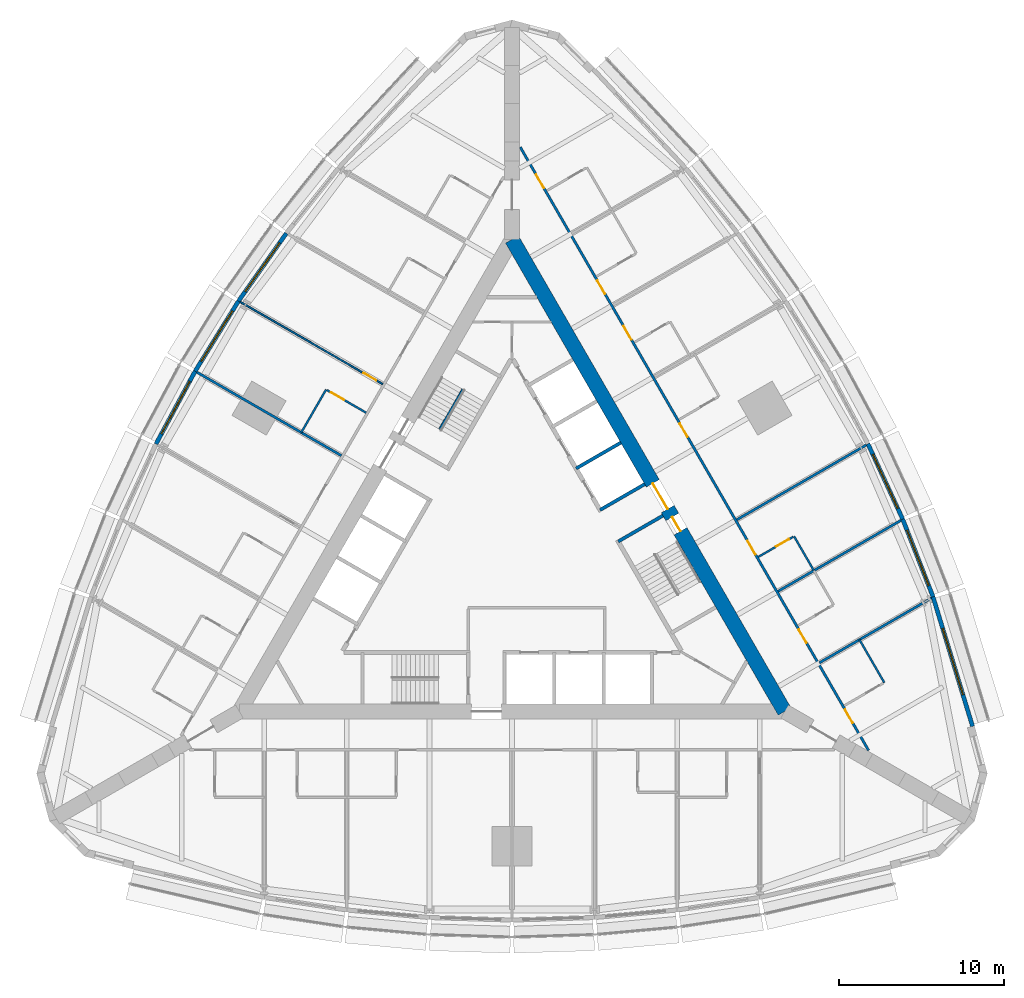
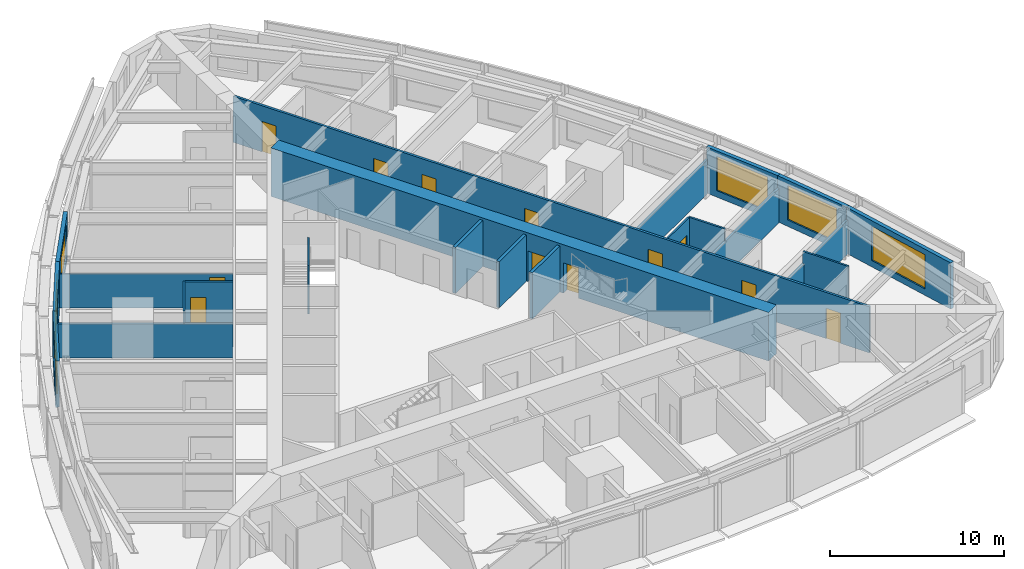
# One storey, part 11 of 14: 22 walls, 12 doors, 6 windows, 18 openings.
"""IFC4 building model written with IfcOpenShell, lengths in metres."""

import ifcopenshell
import ifcopenshell.guid

model = None  # the IFC model being written
_history = None  # IfcOwnerHistory: only IFC2X3 demands one
_inside = {}  # id of a spatial element -> (the spatial element, [elements in it])
_under = {}  # id of a project, library or spatial element -> (it, [spatial elements below it])
_declared = {}  # id of a project -> (the project, [libraries it declares])
_typed = {}  # id of a type object -> (the type object, [elements of that type])
_made_of = {}  # id of a material, layer set ... -> (it, [elements and type objects made of it])


def new_model(schema):
    """Start an empty IFC model of exactly this schema.

    Asked for "IFC4X3", IfcOpenShell would pick the latest addendum, in which some entities
    have other attributes; the version numbers below select the first issue.
    IFC2X3 requires an IfcOwnerHistory on every rooted entity: one is made here for all.
    """
    global model, _history
    if schema == "IFC4X3":
        model = ifcopenshell.file(schema_version=(4, 3, 0, 0))
    else:
        model = ifcopenshell.file(schema=schema)
    _inside.clear()
    _under.clear()
    _declared.clear()
    _typed.clear()
    _made_of.clear()
    _history = None
    if model.schema == "IFC2X3":
        org = make("IfcOrganization", Name="unknown")
        user = make(
            "IfcPersonAndOrganization",
            ThePerson=make("IfcPerson", FamilyName="unknown"),
            TheOrganization=org,
        )
        app = make(
            "IfcApplication",
            ApplicationDeveloper=org,
            Version="unknown",
            ApplicationFullName="unknown",
            ApplicationIdentifier="unknown",
        )
        _history = make(
            "IfcOwnerHistory",
            OwningUser=user,
            OwningApplication=app,
            ChangeAction="ADDED",
            CreationDate=0,
        )
    return model


def make(cls, **values):
    """One entity of the class cls with the attributes given. An attribute that is None is left unset."""
    return model.create_entity(
        cls, **{name: value for name, value in values.items() if value is not None}
    )


def rooted(cls, **values):
    """An entity with a GlobalId (a new one), such as an element, a storey or a relation."""
    return make(cls, GlobalId=ifcopenshell.guid.new(), OwnerHistory=_history, **values)


def si_unit(unit_type, name, prefix=None):
    """IfcSIUnit, for example si_unit("LENGTHUNIT", "METRE", prefix="MILLI")."""
    return make("IfcSIUnit", UnitType=unit_type, Prefix=prefix, Name=name)


def assignment(units):
    """IfcUnitAssignment: the units of a project."""
    return None if units is None else make("IfcUnitAssignment", Units=units)


def point(xyz):
    """IfcCartesianPoint."""
    return None if xyz is None else make("IfcCartesianPoint", Coordinates=xyz)


def direction(xyz):
    """IfcDirection."""
    return None if xyz is None else make("IfcDirection", DirectionRatios=xyz)


def frame(location, z_axis=None, x_axis=None):
    """IfcAxis2Placement3D, a coordinate frame: its origin and axes. An axis left out is left unset."""
    return make(
        "IfcAxis2Placement3D",
        Location=point(location),
        Axis=direction(z_axis),
        RefDirection=direction(x_axis),
    )


def frame_2d(location, x_axis=None):
    """IfcAxis2Placement2D, a coordinate frame in the plane: its origin and x axis."""
    return make(
        "IfcAxis2Placement2D", Location=point(location), RefDirection=direction(x_axis)
    )


def origin():
    """The frame at (0, 0, 0) with its axes left unset."""
    return frame((0.0, 0.0, 0.0))


def place(relative_to, where):
    """IfcLocalPlacement: puts the frame where relative to a parent placement (None: the world)."""
    return make(
        "IfcLocalPlacement", PlacementRelTo=relative_to, RelativePlacement=where
    )


def context(
    kind, dimensions, precision=None, world=None, true_north=None, identifier=None
):
    """IfcGeometricRepresentationContext, for example the 3D "Model" context."""
    return make(
        "IfcGeometricRepresentationContext",
        ContextIdentifier=identifier,
        ContextType=kind,
        CoordinateSpaceDimension=dimensions,
        Precision=precision,
        WorldCoordinateSystem=world,
        TrueNorth=true_north,
    )


def subcontext(parent, identifier, kind, view, scale=None):
    """IfcGeometricRepresentationSubContext, for example "Body" below "Model"."""
    return make(
        "IfcGeometricRepresentationSubContext",
        ContextIdentifier=identifier,
        ContextType=kind,
        ParentContext=parent,
        TargetScale=scale,
        TargetView=view,
    )


def project(units=None, contexts=None):
    """IfcProject with its units and contexts."""
    return rooted(
        "IfcProject",
        Name="project",
        RepresentationContexts=contexts,
        UnitsInContext=assignment(units),
    )


def spatial(cls, under=None, at=None, **own):
    """A site, building, storey or space (cls), placed at a placement, below another one or the project."""
    s = rooted(cls, ObjectPlacement=at, **own)
    if under is not None:
        _under.setdefault(under.id(), (under, []))[1].append(s)
    return s


def profile(cls, at=None, kind="AREA", **sizes):
    """A parametric profile (cls). Its sizes go by their IFC names, for example OverallWidth=200.0."""
    return make(cls, ProfileType=kind, Position=at, **sizes)


def rectangle(**sizes):
    """IfcRectangleProfileDef."""
    return profile("IfcRectangleProfileDef", **sizes)


def extrude(swept, where, along, depth):
    """IfcExtrudedAreaSolid: the profile swept, set in the frame where, extruded along a direction by depth."""
    return make(
        "IfcExtrudedAreaSolid",
        SweptArea=swept,
        Position=where,
        ExtrudedDirection=direction(along),
        Depth=depth,
    )


def shape(context_of_items, identifier, shape_type, items):
    """IfcShapeRepresentation: the items that make up one representation, for example the "Body"."""
    return make(
        "IfcShapeRepresentation",
        ContextOfItems=context_of_items,
        RepresentationIdentifier=identifier,
        RepresentationType=shape_type,
        Items=items,
    )


def material(Name=None, Category=None):
    """IfcMaterial."""
    return make("IfcMaterial", Name=Name, Category=Category)


def layer(
    of_material, thickness, ventilated=None, Name=None, Category=None, Priority=None
):
    """IfcMaterialLayer: one layer of a wall or slab, of a material (None: an air gap)."""
    return make(
        "IfcMaterialLayer",
        Material=of_material,
        LayerThickness=thickness,
        IsVentilated=ventilated,
        Name=Name,
        Category=Category,
        Priority=Priority,
    )


def layer_set(layers, Name=None):
    """IfcMaterialLayerSet."""
    return make("IfcMaterialLayerSet", MaterialLayers=layers, LayerSetName=Name)


def made_of(thing, what):
    """Note that an element or type object is made of a material, layer set ...; save() writes the relation."""
    if what is not None:
        _made_of.setdefault(what.id(), (what, []))[1].append(thing)
    return thing


def type_object(cls, material=None, **own):
    """A type object (cls), such as IfcWallType, which elements share."""
    return made_of(rooted(cls, **own), material)


def element(
    cls,
    number,
    at=None,
    inside=None,
    cuts=None,
    type_object=None,
    material=None,
    context=None,
    identifier="Body",
    shape_type=None,
    held_by="IfcProductDefinitionShape",
    body=None,
    shapes=None,
    **own,
):
    """One element of the class cls, such as IfcWall. Its Tag is "e" and its number.

    at: its placement. inside: the storey or other place that contains it. cuts: it is an
    opening in that element (IfcRelVoidsElement). A single representation is given by context,
    identifier, shape_type and body (its items); several are given by shapes. held_by: the class
    of the entity that holds the representations. save() writes the other relations.
    """
    e = rooted(cls, Tag="e%d" % number, ObjectPlacement=at, **own)
    if body is not None:
        shapes = [shape(context, identifier, shape_type, body)]
    if shapes is not None:
        e.Representation = make(held_by, Representations=shapes)
    if inside is not None:
        _inside.setdefault(inside.id(), (inside, []))[1].append(e)
    if cuts is not None:
        rooted(
            "IfcRelVoidsElement", RelatingBuildingElement=cuts, RelatedOpeningElement=e
        )
    if type_object is not None:
        _typed.setdefault(type_object.id(), (type_object, []))[1].append(e)
    return made_of(e, material)


def fill(opening, filler):
    """IfcRelFillsElement: the door or window that sits in an opening."""
    return rooted(
        "IfcRelFillsElement",
        RelatingOpeningElement=opening,
        RelatedBuildingElement=filler,
    )


def aggregate(whole, parts):
    """IfcRelAggregates: a whole, such as a stair, and the parts it consists of."""
    return rooted("IfcRelAggregates", RelatingObject=whole, RelatedObjects=parts)


def save(model, path):
    """Write the relations noted so far, then the file.

    IfcRelAggregates (storeys below a building ...), IfcRelContainedInSpatialStructure (elements
    in a storey), IfcRelDefinesByType, IfcRelAssociatesMaterial and IfcRelDeclares: one each for
    every whole, place, type object, material and project.
    """
    for whole, parts in _under.values():
        aggregate(whole, parts)
    for where, things in _inside.values():
        rooted(
            "IfcRelContainedInSpatialStructure",
            RelatedElements=things,
            RelatingStructure=where,
        )
    for kind, things in _typed.values():
        rooted("IfcRelDefinesByType", RelatedObjects=things, RelatingType=kind)
    for what, things in _made_of.values():
        rooted("IfcRelAssociatesMaterial", RelatedObjects=things, RelatingMaterial=what)
    for by, libraries in _declared.values():
        rooted("IfcRelDeclares", RelatingContext=by, RelatedDefinitions=libraries)
    model.write(path)


model = new_model("IFC4")

# Units and contexts
model_context = context("Model", 3, precision=1e-05, world=origin(), true_north=direction((0.0, 1.0)))
body_context = subcontext(model_context, "Body", "Model", "MODEL_VIEW")
ifc_project = project(units=[si_unit("LENGTHUNIT", "METRE"), si_unit("AREAUNIT", "SQUARE_METRE"), si_unit("VOLUMEUNIT", "CUBIC_METRE"), si_unit("PLANEANGLEUNIT", "RADIAN"), si_unit("MASSUNIT", "GRAM", prefix="KILO")], contexts=[model_context])

# Site, building, storey
site_placement = place(None, origin())
site = spatial("IfcSite", under=ifc_project, at=site_placement, CompositionType="ELEMENT")
building_placement = place(site_placement, origin())
building = spatial("IfcBuilding", under=site, at=building_placement, Name="Trikona Tower", CompositionType="ELEMENT")
storey_placement = place(building_placement, frame((0.0, 0.0, 38.699951171875)))
storey = spatial("IfcBuildingStorey", under=building, at=storey_placement, Name="L08", CompositionType="ELEMENT", Elevation=38.699951171875)

# Walls
ifc_material_1 = material(Name="Metal stud and cement board", Category="gypsum")
ifc_layer_1 = layer(ifc_material_1, 0.1201171875)
ifc_layer_set_1 = layer_set([ifc_layer_1], Name="Bathroom wall 120")
wall_type_1 = type_object("IfcWallType", Name="Bathroom wall 120", PredefinedType="PLUMBINGWALL", material=ifc_layer_set_1)
wall_1_placement = place(storey_placement, frame((22.53271484375, -7.775390625, 0.0), z_axis=(0.0, 0.0, 1.0), x_axis=(-0.499990139034, 0.866031096941, 0.0)))
element("IfcWall", 1, at=wall_1_placement, inside=storey, type_object=wall_type_1, Name="Bathroom wall 0806", PredefinedType="PLUMBINGWALL", context=body_context, shape_type="SweptSolid", body=[
    extrude(rectangle(XDim=3.0, YDim=0.1201171875, at=frame_2d((1.5, 0.0))), origin(), (0.0, 0.0, 1.0), 3.235107421875),
])
wall_2_placement = place(storey_placement, frame((18.27294921875, -0.9970703125, 0.0), z_axis=(0.0, 0.0, 1.0), x_axis=(-0.500001309137, 0.866024647952, 0.0)))
element("IfcWall", 2, at=wall_2_placement, inside=storey, type_object=wall_type_1, Name="Bathroom wall 0808", PredefinedType="PLUMBINGWALL", context=body_context, shape_type="SweptSolid", body=[
    extrude(rectangle(XDim=2.39990234375, YDim=0.1201171875, at=frame_2d((1.199951171875, 0.0))), origin(), (0.0, 0.0, 1.0), 3.235107421875),
])

# Wall, opening, door
wall_3_placement = place(storey_placement, frame((14.907958984375, -0.168701171875, 0.0), z_axis=(0.0, 0.0, 1.0), x_axis=(0.866023955769, 0.500002508028, 0.0)))
wall_3 = element("IfcWall", 3, at=wall_3_placement, inside=storey, type_object=wall_type_1, Name="Bathroom wall 0808", PredefinedType="PLUMBINGWALL", context=body_context, shape_type="SweptSolid", body=[
    extrude(rectangle(XDim=2.43994140625, YDim=0.1201171875, at=frame_2d((1.219970703125, 0.0))), origin(), (0.0, 0.0, 1.0), 3.235107421875),
])
opening_1_placement = place(wall_3_placement, frame((1.25, 0.0, 0.0)))
opening_1 = element("IfcOpeningElement", 4, at=opening_1_placement, cuts=wall_3, Name="Opening D2", PredefinedType="OPENING", context=body_context, shape_type="SweptSolid", body=[
    extrude(rectangle(XDim=0.89990234375, YDim=2.1298828125, at=frame_2d((0.449951171875, 1.06494140625))), frame((0.0, 0.070068359375, 0.0), z_axis=(0.0, -1.0, 0.0), x_axis=(1.0, 0.0, 0.0)), (0.0, 0.0, 1.0), 0.14013671875),
])
ifc_material_2 = material(Name="Steel door frame with solid-core timber leaf", Category="steel")
door_type_1 = type_object("IfcDoorType", Name="Bathroom door 900x2130", OperationType="SLIDING_TO_LEFT", PredefinedType="DOOR", material=ifc_material_2)
door_1_placement = place(opening_1_placement, origin())
door_1 = element("IfcDoor", 5, at=door_1_placement, inside=storey, type_object=door_type_1, Name="Bathroom door 0808", OperationType="SLIDING_TO_LEFT", OverallHeight=2.1298828125, OverallWidth=0.89990234375, PredefinedType="DOOR", context=body_context, shape_type="SweptSolid", body=[
    extrude(rectangle(XDim=0.89990234375, YDim=2.1298828125, at=frame_2d((0.449951171875, 1.06494140625))), frame((0.0, 0.02490234375, 0.0), z_axis=(0.0, -1.0, 0.0), x_axis=(1.0, 0.0, 0.0)), (0.0, 0.0, 1.0), 0.050048828125),
])
fill(opening_1, door_1)

# Wall
wall_4_placement = place(storey_placement, frame((-11.25341796875, 9.961181640625, 0.0), z_axis=(0.0, 0.0, 1.0), x_axis=(-0.499990139034, -0.866031096941, 0.0)))
element("IfcWall", 6, at=wall_4_placement, inside=storey, type_object=wall_type_1, Name="Bathroom wall 0815.1", PredefinedType="PLUMBINGWALL", context=body_context, shape_type="SweptSolid", body=[
    extrude(rectangle(XDim=3.0, YDim=0.1201171875, at=frame_2d((1.5, 0.0))), origin(), (0.0, 0.0, 1.0), 3.235107421875),
])

# Wall, opening, door
wall_5_placement = place(storey_placement, frame((-8.82861328125, 8.561279296875, 0.0), z_axis=(0.0, 0.0, 1.0), x_axis=(-0.866035715982, 0.499982138324, 0.0)))
wall_5 = element("IfcWall", 7, at=wall_5_placement, inside=storey, type_object=wall_type_1, Name="Bathroom wall 0815.1", PredefinedType="PLUMBINGWALL", context=body_context, shape_type="SweptSolid", body=[
    extrude(rectangle(XDim=2.73974609375, YDim=0.1201171875, at=frame_2d((1.369873046875, 0.0))), origin(), (0.0, 0.0, 1.0), 3.235107421875),
])
opening_2_placement = place(wall_5_placement, frame((1.550048828125, 0.0, 0.0)))
opening_2 = element("IfcOpeningElement", 8, at=opening_2_placement, cuts=wall_5, Name="Opening D2", PredefinedType="OPENING", context=body_context, shape_type="SweptSolid", body=[
    extrude(rectangle(XDim=0.89990234375, YDim=2.1298828125, at=frame_2d((0.449951171875, 1.06494140625))), frame((0.0, 0.070068359375, 0.0), z_axis=(0.0, -1.0, 0.0), x_axis=(1.0, 0.0, 0.0)), (0.0, 0.0, 1.0), 0.14013671875),
])
door_2_placement = place(opening_2_placement, origin())
door_2 = element("IfcDoor", 9, at=door_2_placement, inside=storey, type_object=door_type_1, Name="Bathroom door 0815.1", OperationType="SLIDING_TO_LEFT", OverallHeight=2.1298828125, OverallWidth=0.89990234375, PredefinedType="DOOR", context=body_context, shape_type="SweptSolid", body=[
    extrude(rectangle(XDim=0.89990234375, YDim=2.1298828125, at=frame_2d((0.449951171875, 1.06494140625))), frame((0.0, 0.02490234375, 0.0), z_axis=(0.0, -1.0, 0.0), x_axis=(1.0, 0.0, 0.0)), (0.0, 0.0, 1.0), 0.050048828125),
])
fill(opening_2, door_2)

# Wall, openings, doors
ifc_material_3 = material(Name="Concrete f'c 10000 psi", Category="concrete")
ifc_layer_2 = layer(ifc_material_3, 0.89990234375)
ifc_layer_set_2 = layer_set([ifc_layer_2], Name="Core wall 900")
wall_type_2 = type_object("IfcWallType", Name="Core wall 900", PredefinedType="SHEAR", material=ifc_layer_set_2)
wall_6_placement = place(storey_placement, frame((16.5, -9.5263671875, 0.0), z_axis=(0.0, 0.0, 1.0), x_axis=(-0.499999749417, 0.866025548458, 0.0)))
wall_6 = element("IfcWall", 10, at=wall_6_placement, inside=storey, type_object=wall_type_2, Name="Core wall B", PredefinedType="SHEAR", context=body_context, shape_type="SweptSolid", body=[
    extrude(rectangle(XDim=33.0, YDim=0.89990234375, at=frame_2d((16.5, 0.0))), origin(), (0.0, 0.0, 1.0), 3.400146484375),
])
opening_3_placement = place(wall_6_placement, frame((14.14990234375, 0.0, 0.0)))
opening_3 = element("IfcOpeningElement", 11, at=opening_3_placement, cuts=wall_6, Name="Opening D6", PredefinedType="OPENING", context=body_context, shape_type="SweptSolid", body=[
    extrude(rectangle(XDim=1.800048828125, YDim=2.1298828125, at=frame_2d((0.89990234375, 1.06494140625))), frame((0.0, 0.4599609375, 0.0), z_axis=(0.0, -1.0, 0.0), x_axis=(1.0, 0.0, 0.0)), (0.0, 0.0, 1.0), 0.919921875),
])
opening_4_placement = place(wall_6_placement, frame((12.60009765625, 0.0, 0.0)))
opening_4 = element("IfcOpeningElement", 12, at=opening_4_placement, cuts=wall_6, Name="Opening D5", PredefinedType="OPENING", context=body_context, shape_type="SweptSolid", body=[
    extrude(rectangle(XDim=1.0, YDim=2.1298828125, at=frame_2d((0.5, 1.06494140625))), frame((0.0, 0.4599609375, 0.0), z_axis=(0.0, -1.0, 0.0), x_axis=(1.0, 0.0, 0.0)), (0.0, 0.0, 1.0), 0.919921875),
])
ifc_material_4 = material(Name="Hollow metal door and frame", Category="steel")
door_type_2 = type_object("IfcDoorType", Name="Lobby door pair 1800x2130", OperationType="DOUBLE_DOOR_SINGLE_SWING", PredefinedType="DOOR", material=ifc_material_4)
door_3_placement = place(opening_3_placement, origin())
door_3 = element("IfcDoor", 13, at=door_3_placement, inside=storey, type_object=door_type_2, Name="Lift lobby door B", OperationType="DOUBLE_DOOR_SINGLE_SWING", OverallHeight=2.1298828125, OverallWidth=1.800048828125, PredefinedType="DOOR", context=body_context, shape_type="SweptSolid", body=[
    extrude(rectangle(XDim=1.800048828125, YDim=2.1298828125, at=frame_2d((0.89990234375, 1.06494140625))), frame((0.0, 0.02490234375, 0.0), z_axis=(0.0, -1.0, 0.0), x_axis=(1.0, 0.0, 0.0)), (0.0, 0.0, 1.0), 0.050048828125),
])
fill(opening_3, door_3)
ifc_material_5 = material(Name="Hollow metal door and frame", Category="steel")
door_type_3 = type_object("IfcDoorType", Name="Stair door 1000x2130", OperationType="SINGLE_SWING_LEFT", PredefinedType="DOOR", material=ifc_material_5)
door_4_placement = place(opening_4_placement, origin())
door_4 = element("IfcDoor", 14, at=door_4_placement, inside=storey, type_object=door_type_3, Name="Stair B door", OperationType="SINGLE_SWING_RIGHT", OverallHeight=2.1298828125, OverallWidth=1.0, PredefinedType="DOOR", context=body_context, shape_type="SweptSolid", body=[
    extrude(rectangle(XDim=1.0, YDim=2.1298828125, at=frame_2d((0.5, 1.06494140625))), frame((0.0, 0.02490234375, 0.0), z_axis=(0.0, -1.0, 0.0), x_axis=(1.0, 0.0, 0.0)), (0.0, 0.0, 1.0), 0.050048828125),
])
fill(opening_4, door_4)

ifc_material_6 = material(Name="Metal stud and gypsum board, 1-hour", Category="gypsum")
ifc_layer_3 = layer(ifc_material_6, 0.14990234375)
ifc_layer_set_3 = layer_set([ifc_layer_3], Name="Corridor wall 150")
wall_type_3 = type_object("IfcWallType", Name="Corridor wall 150", PredefinedType="PARTITIONING", material=ifc_layer_set_3)
wall_7_placement = place(storey_placement, frame((21.5859375, -11.88525390625, 0.0), z_axis=(0.0, 0.0, 1.0), x_axis=(-0.500001915564, 0.86602429783, 0.0)))
wall_7 = element("IfcWall", 15, at=wall_7_placement, inside=storey, type_object=wall_type_3, Name="Corridor wall L08-2", PredefinedType="PARTITIONING", context=body_context, shape_type="SweptSolid", body=[
    extrude(rectangle(XDim=42.171630859375, YDim=0.14990234375, at=frame_2d((21.0859375, 0.0))), origin(), (0.0, 0.0, 1.0), 3.235107421875),
])
opening_5_placement = place(wall_7_placement, frame((1.910888671875, 0.0, 0.0)))
opening_5 = element("IfcOpeningElement", 16, at=opening_5_placement, cuts=wall_7, Name="Opening D1", PredefinedType="OPENING", context=body_context, shape_type="SweptSolid", body=[
    extrude(rectangle(XDim=0.949951171875, YDim=2.1298828125, at=frame_2d((0.47509765625, 1.06494140625))), frame((0.0, 0.0849609375, 0.0), z_axis=(0.0, -1.0, 0.0), x_axis=(1.0, 0.0, 0.0)), (0.0, 0.0, 1.0), 0.169921875),
])
opening_6_placement = place(wall_7_placement, frame((7.510986328125, 0.0, 0.0)))
opening_6 = element("IfcOpeningElement", 17, at=opening_6_placement, cuts=wall_7, Name="Opening D1", PredefinedType="OPENING", context=body_context, shape_type="SweptSolid", body=[
    extrude(rectangle(XDim=0.949951171875, YDim=2.1298828125, at=frame_2d((0.47509765625, 1.06494140625))), frame((0.0, 0.0849609375, 0.0), z_axis=(0.0, -1.0, 0.0), x_axis=(1.0, 0.0, 0.0)), (0.0, 0.0, 1.0), 0.169921875),
])
opening_7_placement = place(wall_7_placement, frame((13.7109375, 0.0, 0.0)))
opening_7 = element("IfcOpeningElement", 18, at=opening_7_placement, cuts=wall_7, Name="Opening D1", PredefinedType="OPENING", context=body_context, shape_type="SweptSolid", body=[
    extrude(rectangle(XDim=0.949951171875, YDim=2.1298828125, at=frame_2d((0.47509765625, 1.06494140625))), frame((0.0, 0.0849609375, 0.0), z_axis=(0.0, -1.0, 0.0), x_axis=(1.0, 0.0, 0.0)), (0.0, 0.0, 1.0), 0.169921875),
])
opening_8_placement = place(wall_7_placement, frame((21.910888671875, 0.0, 0.0)))
opening_8 = element("IfcOpeningElement", 19, at=opening_8_placement, cuts=wall_7, Name="Opening D1", PredefinedType="OPENING", context=body_context, shape_type="SweptSolid", body=[
    extrude(rectangle(XDim=0.949951171875, YDim=2.1298828125, at=frame_2d((0.47509765625, 1.06494140625))), frame((0.0, 0.0849609375, 0.0), z_axis=(0.0, -1.0, 0.0), x_axis=(1.0, 0.0, 0.0)), (0.0, 0.0, 1.0), 0.169921875),
])
opening_9_placement = place(wall_7_placement, frame((28.7109375, 0.0, 0.0)))
opening_9 = element("IfcOpeningElement", 20, at=opening_9_placement, cuts=wall_7, Name="Opening D1", PredefinedType="OPENING", context=body_context, shape_type="SweptSolid", body=[
    extrude(rectangle(XDim=0.949951171875, YDim=2.1298828125, at=frame_2d((0.47509765625, 1.06494140625))), frame((0.0, 0.0849609375, 0.0), z_axis=(0.0, -1.0, 0.0), x_axis=(1.0, 0.0, 0.0)), (0.0, 0.0, 1.0), 0.169921875),
])
opening_10_placement = place(wall_7_placement, frame((31.910888671875, 0.0, 0.0)))
opening_10 = element("IfcOpeningElement", 21, at=opening_10_placement, cuts=wall_7, Name="Opening D1", PredefinedType="OPENING", context=body_context, shape_type="SweptSolid", body=[
    extrude(rectangle(XDim=0.949951171875, YDim=2.1298828125, at=frame_2d((0.47509765625, 1.06494140625))), frame((0.0, 0.0849609375, 0.0), z_axis=(0.0, -1.0, 0.0), x_axis=(1.0, 0.0, 0.0)), (0.0, 0.0, 1.0), 0.169921875),
])
opening_11_placement = place(wall_7_placement, frame((39.310791015625, 0.0, 0.0)))
opening_11 = element("IfcOpeningElement", 22, at=opening_11_placement, cuts=wall_7, Name="Opening D1", PredefinedType="OPENING", context=body_context, shape_type="SweptSolid", body=[
    extrude(rectangle(XDim=0.949951171875, YDim=2.1298828125, at=frame_2d((0.47509765625, 1.06494140625))), frame((0.0, 0.0849609375, 0.0), z_axis=(0.0, -1.0, 0.0), x_axis=(1.0, 0.0, 0.0)), (0.0, 0.0, 1.0), 0.169921875),
])
ifc_material_7 = material(Name="Steel door frame with solid-core timber leaf", Category="steel")
door_type_4 = type_object("IfcDoorType", Name="Guest room door 950x2130", OperationType="SINGLE_SWING_LEFT", PredefinedType="DOOR", material=ifc_material_7)
door_5_placement = place(opening_5_placement, origin())
door_5 = element("IfcDoor", 23, at=door_5_placement, inside=storey, type_object=door_type_4, Name="Room door 0806", OperationType="SINGLE_SWING_LEFT", OverallHeight=2.1298828125, OverallWidth=0.949951171875, PredefinedType="DOOR", context=body_context, shape_type="SweptSolid", body=[
    extrude(rectangle(XDim=0.949951171875, YDim=2.1298828125, at=frame_2d((0.47509765625, 1.06494140625))), frame((0.0, 0.02490234375, 0.0), z_axis=(0.0, -1.0, 0.0), x_axis=(1.0, 0.0, 0.0)), (0.0, 0.0, 1.0), 0.050048828125),
])
fill(opening_5, door_5)
door_6_placement = place(opening_6_placement, origin())
door_6 = element("IfcDoor", 24, at=door_6_placement, inside=storey, type_object=door_type_4, Name="Room door 0807", OperationType="SINGLE_SWING_RIGHT", OverallHeight=2.1298828125, OverallWidth=0.949951171875, PredefinedType="DOOR", context=body_context, shape_type="SweptSolid", body=[
    extrude(rectangle(XDim=0.949951171875, YDim=2.1298828125, at=frame_2d((0.47509765625, 1.06494140625))), frame((0.0, 0.02490234375, 0.0), z_axis=(0.0, -1.0, 0.0), x_axis=(1.0, 0.0, 0.0)), (0.0, 0.0, 1.0), 0.050048828125),
])
fill(opening_6, door_6)
door_7_placement = place(opening_7_placement, origin())
door_7 = element("IfcDoor", 25, at=door_7_placement, inside=storey, type_object=door_type_4, Name="Room door 0808", OperationType="SINGLE_SWING_LEFT", OverallHeight=2.1298828125, OverallWidth=0.949951171875, PredefinedType="DOOR", context=body_context, shape_type="SweptSolid", body=[
    extrude(rectangle(XDim=0.949951171875, YDim=2.1298828125, at=frame_2d((0.47509765625, 1.06494140625))), frame((0.0, 0.02490234375, 0.0), z_axis=(0.0, -1.0, 0.0), x_axis=(1.0, 0.0, 0.0)), (0.0, 0.0, 1.0), 0.050048828125),
])
fill(opening_7, door_7)
door_8_placement = place(opening_8_placement, origin())
door_8 = element("IfcDoor", 26, at=door_8_placement, inside=storey, type_object=door_type_4, Name="Room door 0809", OperationType="SINGLE_SWING_RIGHT", OverallHeight=2.1298828125, OverallWidth=0.949951171875, PredefinedType="DOOR", context=body_context, shape_type="SweptSolid", body=[
    extrude(rectangle(XDim=0.949951171875, YDim=2.1298828125, at=frame_2d((0.47509765625, 1.06494140625))), frame((0.0, 0.02490234375, 0.0), z_axis=(0.0, -1.0, 0.0), x_axis=(1.0, 0.0, 0.0)), (0.0, 0.0, 1.0), 0.050048828125),
])
fill(opening_8, door_8)
door_9_placement = place(opening_9_placement, origin())
door_9 = element("IfcDoor", 27, at=door_9_placement, inside=storey, type_object=door_type_4, Name="Room door 0810", OperationType="SINGLE_SWING_LEFT", OverallHeight=2.1298828125, OverallWidth=0.949951171875, PredefinedType="DOOR", context=body_context, shape_type="SweptSolid", body=[
    extrude(rectangle(XDim=0.949951171875, YDim=2.1298828125, at=frame_2d((0.47509765625, 1.06494140625))), frame((0.0, 0.02490234375, 0.0), z_axis=(0.0, -1.0, 0.0), x_axis=(1.0, 0.0, 0.0)), (0.0, 0.0, 1.0), 0.050048828125),
])
fill(opening_9, door_9)
door_10_placement = place(opening_10_placement, origin())
door_10 = element("IfcDoor", 28, at=door_10_placement, inside=storey, type_object=door_type_4, Name="Room door 0811", OperationType="SINGLE_SWING_RIGHT", OverallHeight=2.1298828125, OverallWidth=0.949951171875, PredefinedType="DOOR", context=body_context, shape_type="SweptSolid", body=[
    extrude(rectangle(XDim=0.949951171875, YDim=2.1298828125, at=frame_2d((0.47509765625, 1.06494140625))), frame((0.0, 0.02490234375, 0.0), z_axis=(0.0, -1.0, 0.0), x_axis=(1.0, 0.0, 0.0)), (0.0, 0.0, 1.0), 0.050048828125),
])
fill(opening_10, door_10)
door_11_placement = place(opening_11_placement, origin())
door_11 = element("IfcDoor", 29, at=door_11_placement, inside=storey, type_object=door_type_4, Name="Room door 0812", OperationType="SINGLE_SWING_RIGHT", OverallHeight=2.1298828125, OverallWidth=0.949951171875, PredefinedType="DOOR", context=body_context, shape_type="SweptSolid", body=[
    extrude(rectangle(XDim=0.949951171875, YDim=2.1298828125, at=frame_2d((0.47509765625, 1.06494140625))), frame((0.0, 0.02490234375, 0.0), z_axis=(0.0, -1.0, 0.0), x_axis=(1.0, 0.0, 0.0)), (0.0, 0.0, 1.0), 0.050048828125),
])
fill(opening_11, door_11)

# Wall, opening, window
ifc_material_8 = material(Name="Insulated precast concrete spandrel panel", Category="concrete")
ifc_layer_4 = layer(ifc_material_8, 0.25)
ifc_layer_set_4 = layer_set([ifc_layer_4], Name="Inner skin wall 250")
wall_type_4 = type_object("IfcWallType", Name="Inner skin wall 250", PredefinedType="STANDARD", material=ifc_layer_set_4)
wall_8_placement = place(storey_placement, frame((27.88037109375, -10.4287109375, 0.0), z_axis=(0.0, 0.0, 1.0), x_axis=(-0.2919790669, 0.956424709265, 0.0)))
wall_8 = element("IfcWall", 30, at=wall_8_placement, inside=storey, type_object=wall_type_4, Name="External wall L08-12", PredefinedType="STANDARD", context=body_context, shape_type="SweptSolid", body=[
    extrude(rectangle(XDim=8.211181640625, YDim=0.25, at=frame_2d((4.10546875, 0.0))), origin(), (0.0, 0.0, 1.0), 3.235107421875),
])
opening_12_placement = place(wall_8_placement, frame((2.005615234375, 0.0, 0.449951171875)))
opening_12 = element("IfcOpeningElement", 31, at=opening_12_placement, cuts=wall_8, Name="Opening W4224", PredefinedType="OPENING", context=body_context, shape_type="SweptSolid", body=[
    extrude(rectangle(XDim=4.199951171875, YDim=2.39990234375, at=frame_2d((2.10009765625, 1.199951171875))), frame((0.0, 0.135009765625, 0.0), z_axis=(0.0, -1.0, 0.0), x_axis=(1.0, 0.0, 0.0)), (0.0, 0.0, 1.0), 0.27001953125),
])
ifc_material_9 = material(Name="Aluminium-framed double glazing", Category="aluminium")
window_type_1 = type_object("IfcWindowType", Name="Window 4200x2400", PartitioningType="SINGLE_PANEL", PredefinedType="WINDOW", material=ifc_material_9)
window_1_placement = place(opening_12_placement, origin())
window_1 = element("IfcWindow", 32, at=window_1_placement, inside=storey, type_object=window_type_1, Name="Window 0806", OverallHeight=2.39990234375, OverallWidth=4.199951171875, PartitioningType="SINGLE_PANEL", PredefinedType="WINDOW", context=body_context, shape_type="SweptSolid", body=[
    extrude(rectangle(XDim=4.199951171875, YDim=2.39990234375, at=frame_2d((2.10009765625, 1.199951171875))), frame((0.0, 0.030029296875, 0.0), z_axis=(0.0, -1.0, 0.0), x_axis=(1.0, 0.0, 0.0)), (0.0, 0.0, 1.0), 0.06005859375),
])
fill(opening_12, window_1)

wall_9_placement = place(storey_placement, frame((25.486083984375, -2.58447265625, 0.0), z_axis=(0.0, 0.0, 1.0), x_axis=(-0.364013463868, 0.931393685894, 0.0)))
wall_9 = element("IfcWall", 33, at=wall_9_placement, inside=storey, type_object=wall_type_4, Name="External wall L08-13", PredefinedType="STANDARD", context=body_context, shape_type="SweptSolid", body=[
    extrude(rectangle(XDim=5.0576171875, YDim=0.25, at=frame_2d((2.52880859375, 0.0))), origin(), (0.0, 0.0, 1.0), 3.235107421875),
])
opening_13_placement = place(wall_9_placement, frame((0.728759765625, 0.0, 0.449951171875)))
opening_13 = element("IfcOpeningElement", 34, at=opening_13_placement, cuts=wall_9, Name="Opening W3624", PredefinedType="OPENING", context=body_context, shape_type="SweptSolid", body=[
    extrude(rectangle(XDim=3.60009765625, YDim=2.39990234375, at=frame_2d((1.800048828125, 1.199951171875))), frame((0.0, 0.135009765625, 0.0), z_axis=(0.0, -1.0, 0.0), x_axis=(1.0, 0.0, 0.0)), (0.0, 0.0, 1.0), 0.27001953125),
])
ifc_material_10 = material(Name="Aluminium-framed double glazing", Category="aluminium")
window_type_2 = type_object("IfcWindowType", Name="Window 3600x2400", PartitioningType="SINGLE_PANEL", PredefinedType="WINDOW", material=ifc_material_10)
window_2_placement = place(opening_13_placement, origin())
window_2 = element("IfcWindow", 35, at=window_2_placement, inside=storey, type_object=window_type_2, Name="Window 0807", OverallHeight=2.39990234375, OverallWidth=3.60009765625, PartitioningType="SINGLE_PANEL", PredefinedType="WINDOW", context=body_context, shape_type="SweptSolid", body=[
    extrude(rectangle(XDim=3.60009765625, YDim=2.39990234375, at=frame_2d((1.800048828125, 1.199951171875))), frame((0.0, 0.030029296875, 0.0), z_axis=(0.0, -1.0, 0.0), x_axis=(1.0, 0.0, 0.0)), (0.0, 0.0, 1.0), 0.06005859375),
])
fill(opening_13, window_2)

wall_10_placement = place(storey_placement, frame((23.64794921875, 2.119384765625, 0.0), z_axis=(0.0, 0.0, 1.0), x_axis=(-0.419203100754, 0.907892482796, 0.0)))
wall_10 = element("IfcWall", 36, at=wall_10_placement, inside=storey, type_object=wall_type_4, Name="External wall L08-14", PredefinedType="STANDARD", context=body_context, shape_type="SweptSolid", body=[
    extrude(rectangle(XDim=5.020751953125, YDim=0.25, at=frame_2d((2.51025390625, 0.0))), origin(), (0.0, 0.0, 1.0), 3.235107421875),
])
opening_14_placement = place(wall_10_placement, frame((0.71044921875, 0.0, 0.449951171875)))
opening_14 = element("IfcOpeningElement", 37, at=opening_14_placement, cuts=wall_10, Name="Opening W3624", PredefinedType="OPENING", context=body_context, shape_type="SweptSolid", body=[
    extrude(rectangle(XDim=3.60009765625, YDim=2.39990234375, at=frame_2d((1.800048828125, 1.199951171875))), frame((0.0, 0.135009765625, 0.0), z_axis=(0.0, -1.0, 0.0), x_axis=(1.0, 0.0, 0.0)), (0.0, 0.0, 1.0), 0.27001953125),
])
window_3_placement = place(opening_14_placement, origin())
window_3 = element("IfcWindow", 38, at=window_3_placement, inside=storey, type_object=window_type_2, Name="Window 0808", OverallHeight=2.39990234375, OverallWidth=3.60009765625, PartitioningType="SINGLE_PANEL", PredefinedType="WINDOW", context=body_context, shape_type="SweptSolid", body=[
    extrude(rectangle(XDim=3.60009765625, YDim=2.39990234375, at=frame_2d((1.800048828125, 1.199951171875))), frame((0.0, 0.030029296875, 0.0), z_axis=(0.0, -1.0, 0.0), x_axis=(1.0, 0.0, 0.0)), (0.0, 0.0, 1.0), 0.06005859375),
])
fill(opening_14, window_3)

wall_11_placement = place(storey_placement, frame((-13.659423828125, 19.420166015625, 0.0), z_axis=(0.0, 0.0, 1.0), x_axis=(-0.5766431066, -0.81699616132, 0.0)))
wall_11 = element("IfcWall", 39, at=wall_11_placement, inside=storey, type_object=wall_type_4, Name="External wall L08-26", PredefinedType="STANDARD", context=body_context, shape_type="SweptSolid", body=[
    extrude(rectangle(XDim=5.02099609375, YDim=0.25, at=frame_2d((2.510498046875, 0.0))), origin(), (0.0, 0.0, 1.0), 3.235107421875),
])
opening_15_placement = place(wall_11_placement, frame((0.71044921875, 0.0, 0.449951171875)))
opening_15 = element("IfcOpeningElement", 40, at=opening_15_placement, cuts=wall_11, Name="Opening W3624", PredefinedType="OPENING", context=body_context, shape_type="SweptSolid", body=[
    extrude(rectangle(XDim=3.60009765625, YDim=2.39990234375, at=frame_2d((1.800048828125, 1.199951171875))), frame((0.0, 0.135009765625, 0.0), z_axis=(0.0, -1.0, 0.0), x_axis=(1.0, 0.0, 0.0)), (0.0, 0.0, 1.0), 0.27001953125),
])
window_4_placement = place(opening_15_placement, origin())
window_4 = element("IfcWindow", 41, at=window_4_placement, inside=storey, type_object=window_type_2, Name="Window 0815", OverallHeight=2.39990234375, OverallWidth=3.60009765625, PartitioningType="SINGLE_PANEL", PredefinedType="WINDOW", context=body_context, shape_type="SweptSolid", body=[
    extrude(rectangle(XDim=3.60009765625, YDim=2.39990234375, at=frame_2d((1.800048828125, 1.199951171875))), frame((0.0, 0.030029296875, 0.0), z_axis=(0.0, -1.0, 0.0), x_axis=(1.0, 0.0, 0.0)), (0.0, 0.0, 1.0), 0.06005859375),
])
fill(opening_15, window_4)

wall_12_placement = place(storey_placement, frame((-16.550537109375, 15.324462890625, 0.0), z_axis=(0.0, 0.0, 1.0), x_axis=(-0.526132807704, -0.850402415717, 0.0)))
wall_12 = element("IfcWall", 42, at=wall_12_placement, inside=storey, type_object=wall_type_4, Name="External wall L08-27", PredefinedType="STANDARD", context=body_context, shape_type="SweptSolid", body=[
    extrude(rectangle(XDim=5.002197265625, YDim=0.25, at=frame_2d((2.5009765625, 0.0))), origin(), (0.0, 0.0, 1.0), 3.235107421875),
])
opening_16_placement = place(wall_12_placement, frame((0.701171875, 0.0, 0.449951171875)))
opening_16 = element("IfcOpeningElement", 43, at=opening_16_placement, cuts=wall_12, Name="Opening W3624", PredefinedType="OPENING", context=body_context, shape_type="SweptSolid", body=[
    extrude(rectangle(XDim=3.60009765625, YDim=2.39990234375, at=frame_2d((1.800048828125, 1.199951171875))), frame((0.0, 0.135009765625, 0.0), z_axis=(0.0, -1.0, 0.0), x_axis=(1.0, 0.0, 0.0)), (0.0, 0.0, 1.0), 0.27001953125),
])
window_5_placement = place(opening_16_placement, origin())
window_5 = element("IfcWindow", 44, at=window_5_placement, inside=storey, type_object=window_type_2, Name="Window 0815.1", OverallHeight=2.39990234375, OverallWidth=3.60009765625, PartitioningType="SINGLE_PANEL", PredefinedType="WINDOW", context=body_context, shape_type="SweptSolid", body=[
    extrude(rectangle(XDim=3.60009765625, YDim=2.39990234375, at=frame_2d((1.800048828125, 1.199951171875))), frame((0.0, 0.030029296875, 0.0), z_axis=(0.0, -1.0, 0.0), x_axis=(1.0, 0.0, 0.0)), (0.0, 0.0, 1.0), 0.06005859375),
])
fill(opening_16, window_5)

wall_13_placement = place(storey_placement, frame((-19.178466796875, 11.0771484375, 0.0), z_axis=(0.0, 0.0, 1.0), x_axis=(-0.473412820489, -0.880840678782, 0.0)))
wall_13 = element("IfcWall", 45, at=wall_13_placement, inside=storey, type_object=wall_type_4, Name="External wall L08-28", PredefinedType="STANDARD", context=body_context, shape_type="SweptSolid", body=[
    extrude(rectangle(XDim=5.00244140625, YDim=0.25, at=frame_2d((2.501220703125, 0.0))), origin(), (0.0, 0.0, 1.0), 3.235107421875),
])
opening_17_placement = place(wall_13_placement, frame((0.701171875, 0.0, 0.449951171875)))
opening_17 = element("IfcOpeningElement", 46, at=opening_17_placement, cuts=wall_13, Name="Opening W3624", PredefinedType="OPENING", context=body_context, shape_type="SweptSolid", body=[
    extrude(rectangle(XDim=3.60009765625, YDim=2.39990234375, at=frame_2d((1.800048828125, 1.199951171875))), frame((0.0, 0.135009765625, 0.0), z_axis=(0.0, -1.0, 0.0), x_axis=(1.0, 0.0, 0.0)), (0.0, 0.0, 1.0), 0.27001953125),
])
window_6_placement = place(opening_17_placement, origin())
window_6 = element("IfcWindow", 47, at=window_6_placement, inside=storey, type_object=window_type_2, Name="Window 0816", OverallHeight=2.39990234375, OverallWidth=3.60009765625, PartitioningType="SINGLE_PANEL", PredefinedType="WINDOW", context=body_context, shape_type="SweptSolid", body=[
    extrude(rectangle(XDim=3.60009765625, YDim=2.39990234375, at=frame_2d((1.800048828125, 1.199951171875))), frame((0.0, 0.030029296875, 0.0), z_axis=(0.0, -1.0, 0.0), x_axis=(1.0, 0.0, 0.0)), (0.0, 0.0, 1.0), 0.06005859375),
])
fill(opening_17, window_6)

# Walls
ifc_material_11 = material(Name="Metal stud and gypsum board, 1-hour acoustic", Category="gypsum")
ifc_layer_5 = layer(ifc_material_11, 0.14990234375)
ifc_layer_set_5 = layer_set([ifc_layer_5], Name="Party wall 150")
wall_type_5 = type_object("IfcWallType", Name="Party wall 150", PredefinedType="PARTITIONING", material=ifc_layer_set_5)
wall_14_placement = place(storey_placement, frame((18.60791015625, -6.5771484375, 0.0), z_axis=(0.0, 0.0, 1.0), x_axis=(0.866034818847, 0.499983692279, 0.0)))
element("IfcWall", 48, at=wall_14_placement, inside=storey, type_object=wall_type_5, Name="Partition L08 F2 u-15", PredefinedType="PARTITIONING", context=body_context, shape_type="SweptSolid", body=[
    extrude(rectangle(XDim=7.820068359375, YDim=0.14990234375, at=frame_2d((3.91015625, 0.0))), origin(), (0.0, 0.0, 1.0), 2.38916015625),
])
wall_15_placement = place(storey_placement, frame((16.10791015625, -2.2470703125, 0.0), z_axis=(0.0, 0.0, 1.0), x_axis=(0.866018881988, 0.500011295912, 0.0)))
element("IfcWall", 49, at=wall_15_placement, inside=storey, type_object=wall_type_5, Name="Partition L08 F2 u-10", PredefinedType="PARTITIONING", context=body_context, shape_type="SweptSolid", body=[
    extrude(rectangle(XDim=8.584716796875, YDim=0.14990234375, at=frame_2d((4.29248046875, 0.0))), origin(), (0.0, 0.0, 1.0), 2.38916015625),
])
wall_16_placement = place(storey_placement, frame((13.60791015625, 2.0830078125, 0.0), z_axis=(0.0, 0.0, 1.0), x_axis=(0.866028232062, 0.499995101247, 0.0)))
element("IfcWall", 50, at=wall_16_placement, inside=storey, type_object=wall_type_5, Name="Partition L08 F2 u-5", PredefinedType="PARTITIONING", context=body_context, shape_type="SweptSolid", body=[
    extrude(rectangle(XDim=9.04296875, YDim=0.14990234375, at=frame_2d((4.521484375, 0.0))), origin(), (0.0, 0.0, 1.0), 2.38916015625),
])
wall_17_placement = place(storey_placement, frame((-10.32861328125, 5.963134765625, 0.0), z_axis=(0.0, 0.0, 1.0), x_axis=(-0.866021688545, 0.500006434927, 0.0)))
element("IfcWall", 51, at=wall_17_placement, inside=storey, type_object=wall_type_5, Name="Partition L08 F3 u-5.10703e-15", PredefinedType="PARTITIONING", context=body_context, shape_type="SweptSolid", body=[
    extrude(rectangle(XDim=10.095947265625, YDim=0.14990234375, at=frame_2d((5.0478515625, 0.0))), origin(), (0.0, 0.0, 1.0), 2.38916015625),
])
ifc_material_12 = material(Name="Concrete f'c 8000 psi", Category="concrete")
ifc_layer_6 = layer(ifc_material_12, 0.199951171875)
ifc_layer_set_6 = layer_set([ifc_layer_6], Name="Shaft wall 200")
wall_type_6 = type_object("IfcWallType", Name="Shaft wall 200", PredefinedType="SOLIDWALL", material=ifc_layer_set_6)
for number, where, z_axis, x_axis, name in (
    (52, (5.3291015625, 2.672607421875, 0.0), (0.0, 0.0, 1.0), (0.866022959057, 0.500004234368, 0.0), "Shaft wall B3"),
    (53, (3.87890625, 5.18408203125, 0.0), (0.0, 0.0, 1.0), (0.866022959057, 0.500004234368, 0.0), "Shaft wall B4"),
):
    element("IfcWall", number, at=place(storey_placement, frame(where, z_axis=z_axis, x_axis=x_axis)), inside=storey, type_object=wall_type_6, Name=name, PredefinedType="SOLIDWALL", context=body_context, shape_type="SweptSolid", body=[
        extrude(rectangle(XDim=3.125, YDim=0.199951171875, at=frame_2d((1.5625, 0.0))), origin(), (0.0, 0.0, 1.0), 3.235107421875),
    ])
ifc_material_13 = material(Name="Concrete f'c 8000 psi", Category="concrete")
ifc_layer_7 = layer(ifc_material_13, 0.199951171875)
ifc_layer_set_7 = layer_set([ifc_layer_7], Name="Shaft wall 200 load-bearing")
wall_type_7 = type_object("IfcWallType", Name="Shaft wall 200 load-bearing", PredefinedType="SOLIDWALL", material=ifc_layer_set_7)
wall_18_placement = place(storey_placement, frame((6.428955078125, 0.767333984375, 0.0), z_axis=(0.0, 0.0, 1.0), x_axis=(0.866022959057, 0.500004234368, 0.0)))
element("IfcWall", 54, at=wall_18_placement, inside=storey, type_object=wall_type_7, Name="Shaft wall B2", PredefinedType="SOLIDWALL", context=body_context, shape_type="SweptSolid", body=[
    extrude(rectangle(XDim=3.125, YDim=0.199951171875, at=frame_2d((1.5625, 0.0))), origin(), (0.0, 0.0, 1.0), 3.235107421875),
])
ifc_material_14 = material(Name="Concrete f'c 5000 psi", Category="concrete")
ifc_layer_8 = layer(ifc_material_14, 0.10009765625)
ifc_layer_set_8 = layer_set([ifc_layer_8], Name="Stair spine wall 100")
wall_type_8 = type_object("IfcWallType", Name="Stair spine wall 100", PredefinedType="SOLIDWALL", material=ifc_layer_set_8)
wall_19_placement = place(storey_placement, frame((-2.98779296875, 9.9775390625, 0.0), z_axis=(0.0, 0.0, 1.0), x_axis=(-0.499992232847, -0.866029888106, 0.0)))
element("IfcWall", 55, at=wall_19_placement, inside=storey, type_object=wall_type_8, Name="Stair C spine wall L08", PredefinedType="SOLIDWALL", context=body_context, shape_type="SweptSolid", body=[
    extrude(rectangle(XDim=2.7939453125, YDim=0.10009765625, at=frame_2d((1.39697265625, 0.0))), origin(), (0.0, 0.0, 1.0), 3.400146484375),
])

# Wall, opening, door
ifc_material_15 = material(Name="Metal stud and gypsum board, acoustic", Category="gypsum")
ifc_layer_9 = layer(ifc_material_15, 0.10009765625)
ifc_layer_set_9 = layer_set([ifc_layer_9], Name="Suite partition 100")
wall_type_9 = type_object("IfcWallType", Name="Suite partition 100", PredefinedType="PARTITIONING", material=ifc_layer_set_9)
wall_20_placement = place(storey_placement, frame((-7.82861328125, 10.293212890625, 0.0), z_axis=(0.0, 0.0, 1.0), x_axis=(-0.866016302457, 0.50001576363, 0.0)))
wall_20 = element("IfcWall", 56, at=wall_20_placement, inside=storey, type_object=wall_type_9, Name="Suite partition L08 F3 u-5", PredefinedType="PARTITIONING", context=body_context, shape_type="SweptSolid", body=[
    extrude(rectangle(XDim=9.943115234375, YDim=0.10009765625, at=frame_2d((4.9716796875, 0.0))), origin(), (0.0, 0.0, 1.0), 2.38916015625),
])
opening_18_placement = place(wall_20_placement, frame((0.449951171875, 0.0, 0.0)))
opening_18 = element("IfcOpeningElement", 57, at=opening_18_placement, cuts=wall_20, Name="Opening D13", PredefinedType="OPENING", context=body_context, shape_type="SweptSolid", body=[
    extrude(rectangle(XDim=0.89990234375, YDim=2.1298828125, at=frame_2d((0.449951171875, 1.06494140625))), frame((0.0, 0.06005859375, 0.0), z_axis=(0.0, -1.0, 0.0), x_axis=(1.0, 0.0, 0.0)), (0.0, 0.0, 1.0), 0.1201171875),
])
ifc_material_16 = material(Name="Steel door frame with solid-core timber leaf", Category="steel")
door_type_5 = type_object("IfcDoorType", Name="Suite door 900x2130", OperationType="SINGLE_SWING_LEFT", PredefinedType="DOOR", material=ifc_material_16)
door_12_placement = place(opening_18_placement, origin())
door_12 = element("IfcDoor", 58, at=door_12_placement, inside=storey, type_object=door_type_5, Name="Suite door 0815", OperationType="SINGLE_SWING_LEFT", OverallHeight=2.1298828125, OverallWidth=0.89990234375, PredefinedType="DOOR", context=body_context, shape_type="SweptSolid", body=[
    extrude(rectangle(XDim=0.89990234375, YDim=2.1298828125, at=frame_2d((0.449951171875, 1.06494140625))), frame((0.0, 0.02490234375, 0.0), z_axis=(0.0, -1.0, 0.0), x_axis=(1.0, 0.0, 0.0)), (0.0, 0.0, 1.0), 0.050048828125),
])
fill(opening_18, door_12)

save(model, "model.ifc")
